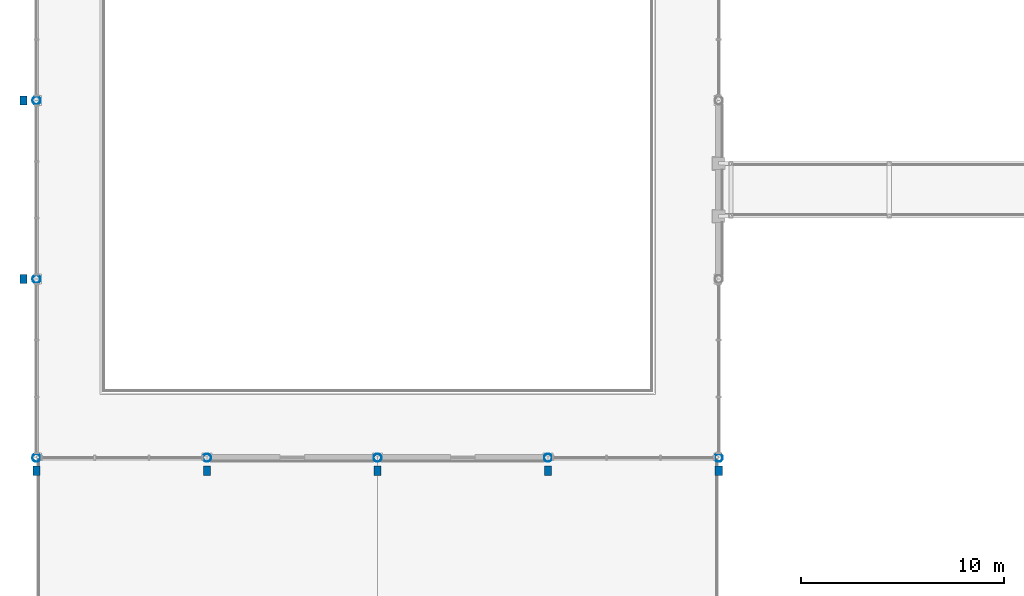
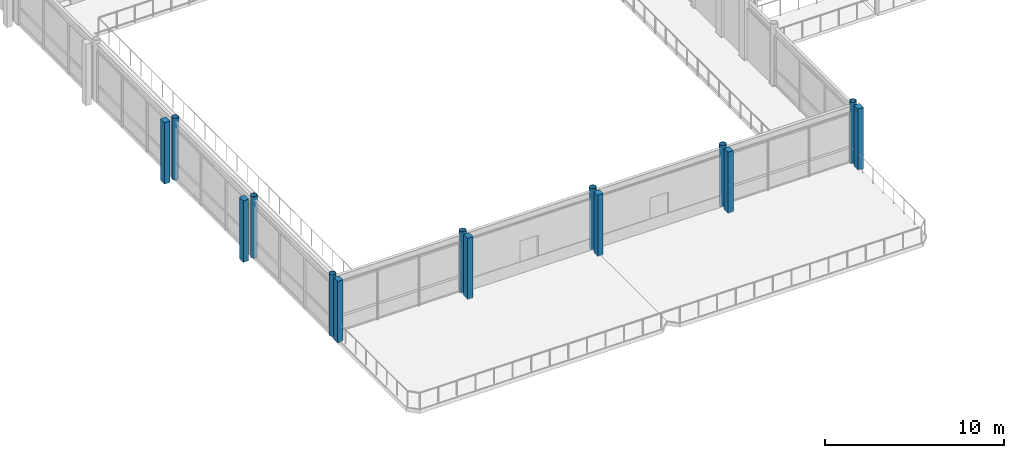
# One storey, part 1 of 57: 14 columns.
"""IFC4 building model written with IfcOpenShell, lengths in metres."""

from ifc_helpers import new_model, si_unit, direction, frame, origin, origin_2d, place, context, subcontext, project, spatial, rectangle, hollow_circle, extrude, material, material_profile, profile_set, type_object, element, save


model = new_model("IFC4")

# Units and contexts
model_context = context("Model", 3, precision=1e-05, world=origin(), true_north=direction((0.0, 1.0)))
body_context = subcontext(model_context, "Body", "Model", "MODEL_VIEW")
ifc_project = project(units=[si_unit("LENGTHUNIT", "METRE"), si_unit("AREAUNIT", "SQUARE_METRE"), si_unit("VOLUMEUNIT", "CUBIC_METRE"), si_unit("PLANEANGLEUNIT", "RADIAN"), si_unit("MASSUNIT", "GRAM", prefix="KILO")], contexts=[model_context])

# Site, building, storey
site_placement = place(None, origin())
site = spatial("IfcSite", under=ifc_project, at=site_placement, CompositionType="ELEMENT")
building_placement = place(site_placement, origin())
building = spatial("IfcBuilding", under=site, at=building_placement, Name="Kemercrest Conservatory and Botanical Centre", CompositionType="ELEMENT")
storey_placement = place(building_placement, frame((0.0, 0.0, 4.800048828125)))
storey = spatial("IfcBuildingStorey", under=building, at=storey_placement, Name="L01", CompositionType="ELEMENT", Elevation=4.800048828125)

# Columns
ifc_material_1 = material(Name="Steel CSA G40.21 350W", Category="steel")
ifc_material_profile_1 = material_profile(ifc_material_1, hollow_circle(Radius=0.203125, WallThickness=0.01611328125, at=origin_2d()), Name="CHS 406.4x16.0")
ifc_profile_set_1 = profile_set([ifc_material_profile_1], Name="Steel CSA G40.21 350W")
column_type_1 = type_object("IfcColumnType", Name="C-S406", PredefinedType="COLUMN", material=ifc_profile_set_1)
for number, where, z_axis, x_axis, name in (
    (1, (8.0, 16.800048828125, 0.0), (0.0, 0.0, 1.0), (1.0, 0.0, 0.0), "Conservatory perimeter steel column 01/B"),
    (2, (8.0, 25.60009765625, 0.0), (0.0, 0.0, 1.0), (1.0, 0.0, 0.0), "Conservatory perimeter steel column 01/C"),
    (3, (8.0, 34.39990234375, 0.0), (0.0, 0.0, 1.0), (1.0, 0.0, 0.0), "Conservatory perimeter steel column 01/D"),
    (4, (16.39990234375, 16.800048828125, 0.0), (0.0, 0.0, 1.0), (1.0, 0.0, 0.0), "Conservatory perimeter steel column 02/B"),
    (5, (24.800048828125, 16.800048828125, 0.0), (0.0, 0.0, 1.0), (1.0, 0.0, 0.0), "Conservatory perimeter steel column 03/B"),
    (6, (33.199951171875, 16.800048828125, 0.0), (0.0, 0.0, 1.0), (1.0, 0.0, 0.0), "Conservatory perimeter steel column 04/B"),
    (7, (41.60009765625, 16.800048828125, 0.0), (0.0, 0.0, 1.0), (1.0, 0.0, 0.0), "Conservatory perimeter steel column 05/B"),
):
    element("IfcColumn", number, at=place(storey_placement, frame(where, z_axis=z_axis, x_axis=x_axis)), inside=storey, type_object=column_type_1, Name=name, PredefinedType="COLUMN", context=body_context, shape_type="SweptSolid", body=[
        extrude(hollow_circle(Radius=0.203125, WallThickness=0.01611328125, at=origin_2d()), origin(), (0.0, 0.0, 1.0), 4.199951171875),
    ])
ifc_material_2 = material(Name="Precast concrete C40/50", Category="concrete")
ifc_material_profile_2 = material_profile(ifc_material_2, rectangle(XDim=0.35009765625, YDim=0.449951171875, at=origin_2d()), Name="RC 450x350")
ifc_profile_set_2 = profile_set([ifc_material_profile_2], Name="Precast concrete C40/50")
column_type_2 = type_object("IfcColumnType", Name="PL-450", PredefinedType="PILASTER", material=ifc_profile_set_2)
for number, where, z_axis, x_axis, name in (
    (8, (8.0, 16.159912109375, 0.0), (0.0, 0.0, 1.0), (1.0, 0.0, 0.0), "Conservatory facade stone pilaster 01/B"),
    (9, (7.360107421875, 25.60009765625, 0.0), (0.0, 0.0, 1.0), (1.0, 0.0, 0.0), "Conservatory facade stone pilaster 01/C"),
    (10, (7.360107421875, 34.39990234375, 0.0), (0.0, 0.0, 1.0), (1.0, 0.0, 0.0), "Conservatory facade stone pilaster 01/D"),
    (11, (16.39990234375, 16.159912109375, 0.0), (0.0, 0.0, 1.0), (1.0, 0.0, 0.0), "Conservatory facade stone pilaster 02/B"),
    (12, (24.800048828125, 16.159912109375, 0.0), (0.0, 0.0, 1.0), (1.0, 0.0, 0.0), "Conservatory facade stone pilaster 03/B"),
    (13, (33.199951171875, 16.159912109375, 0.0), (0.0, 0.0, 1.0), (1.0, 0.0, 0.0), "Conservatory facade stone pilaster 04/B"),
    (14, (41.60009765625, 16.159912109375, 0.0), (0.0, 0.0, 1.0), (1.0, 0.0, 0.0), "Conservatory facade stone pilaster 05/B"),
):
    element("IfcColumn", number, at=place(storey_placement, frame(where, z_axis=z_axis, x_axis=x_axis)), inside=storey, type_object=column_type_2, Name=name, PredefinedType="PILASTER", context=body_context, shape_type="SweptSolid", body=[
        extrude(rectangle(XDim=0.35009765625, YDim=0.449951171875, at=origin_2d()), origin(), (0.0, 0.0, 1.0), 4.199951171875),
    ])

save(model, "model.ifc")
